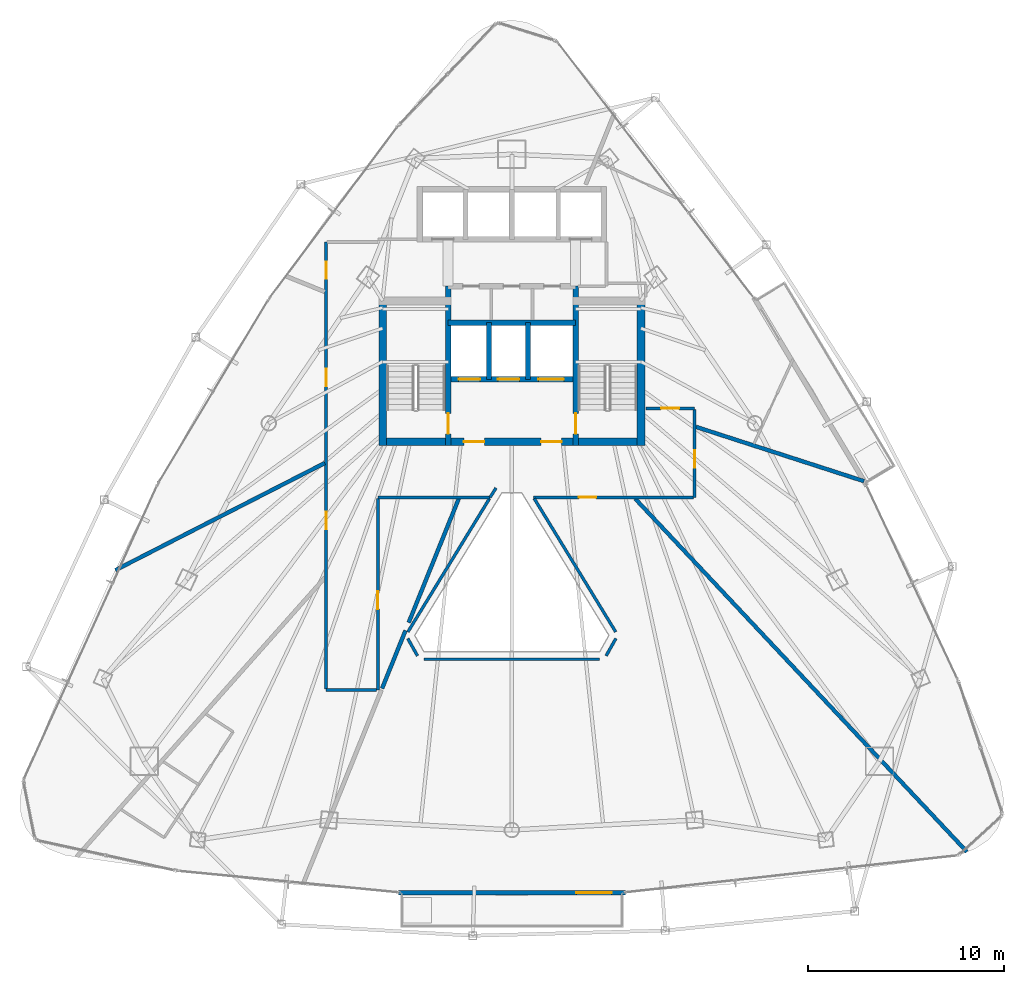
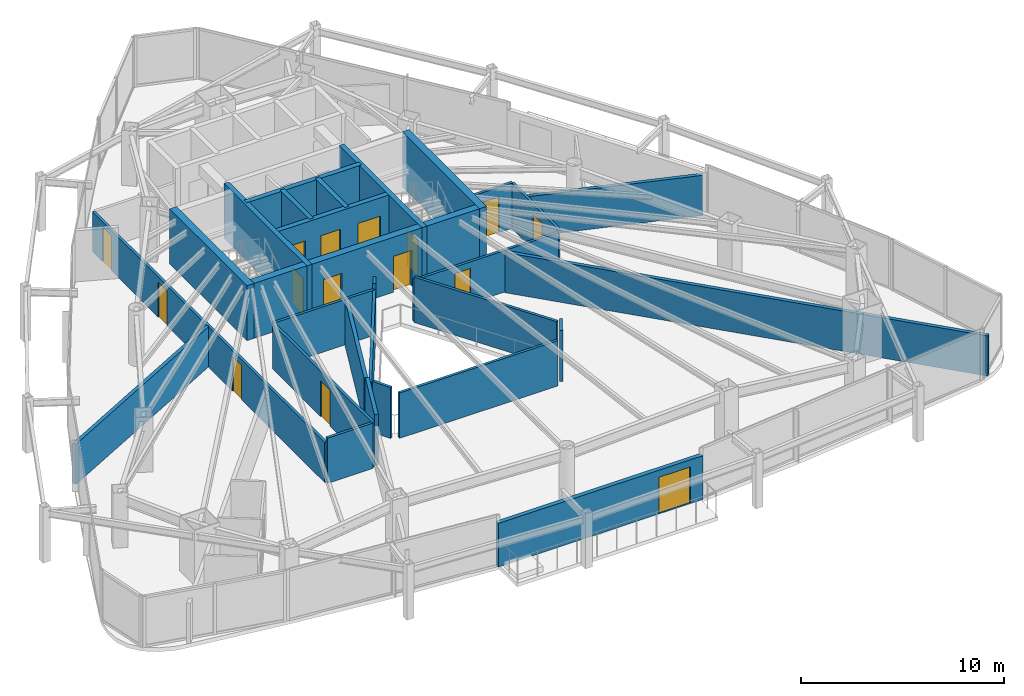
# One storey, part 27 of 31: 28 walls, 15 doors, 15 openings.
"""IFC4 building model written with IfcOpenShell, lengths in metres."""

import ifcopenshell
import ifcopenshell.guid

model = None  # the IFC model being written
_history = None  # IfcOwnerHistory: only IFC2X3 demands one
_inside = {}  # id of a spatial element -> (the spatial element, [elements in it])
_under = {}  # id of a project, library or spatial element -> (it, [spatial elements below it])
_declared = {}  # id of a project -> (the project, [libraries it declares])
_typed = {}  # id of a type object -> (the type object, [elements of that type])
_made_of = {}  # id of a material, layer set ... -> (it, [elements and type objects made of it])


def new_model(schema):
    """Start an empty IFC model of exactly this schema.

    Asked for "IFC4X3", IfcOpenShell would pick the latest addendum, in which some entities
    have other attributes; the version numbers below select the first issue.
    IFC2X3 requires an IfcOwnerHistory on every rooted entity: one is made here for all.
    """
    global model, _history
    if schema == "IFC4X3":
        model = ifcopenshell.file(schema_version=(4, 3, 0, 0))
    else:
        model = ifcopenshell.file(schema=schema)
    _inside.clear()
    _under.clear()
    _declared.clear()
    _typed.clear()
    _made_of.clear()
    _history = None
    if model.schema == "IFC2X3":
        org = make("IfcOrganization", Name="unknown")
        user = make(
            "IfcPersonAndOrganization",
            ThePerson=make("IfcPerson", FamilyName="unknown"),
            TheOrganization=org,
        )
        app = make(
            "IfcApplication",
            ApplicationDeveloper=org,
            Version="unknown",
            ApplicationFullName="unknown",
            ApplicationIdentifier="unknown",
        )
        _history = make(
            "IfcOwnerHistory",
            OwningUser=user,
            OwningApplication=app,
            ChangeAction="ADDED",
            CreationDate=0,
        )
    return model


def make(cls, **values):
    """One entity of the class cls with the attributes given. An attribute that is None is left unset."""
    return model.create_entity(
        cls, **{name: value for name, value in values.items() if value is not None}
    )


def rooted(cls, **values):
    """An entity with a GlobalId (a new one), such as an element, a storey or a relation."""
    return make(cls, GlobalId=ifcopenshell.guid.new(), OwnerHistory=_history, **values)


def si_unit(unit_type, name, prefix=None):
    """IfcSIUnit, for example si_unit("LENGTHUNIT", "METRE", prefix="MILLI")."""
    return make("IfcSIUnit", UnitType=unit_type, Prefix=prefix, Name=name)


def assignment(units):
    """IfcUnitAssignment: the units of a project."""
    return None if units is None else make("IfcUnitAssignment", Units=units)


def point(xyz):
    """IfcCartesianPoint."""
    return None if xyz is None else make("IfcCartesianPoint", Coordinates=xyz)


def direction(xyz):
    """IfcDirection."""
    return None if xyz is None else make("IfcDirection", DirectionRatios=xyz)


def frame(location, z_axis=None, x_axis=None):
    """IfcAxis2Placement3D, a coordinate frame: its origin and axes. An axis left out is left unset."""
    return make(
        "IfcAxis2Placement3D",
        Location=point(location),
        Axis=direction(z_axis),
        RefDirection=direction(x_axis),
    )


def frame_2d(location, x_axis=None):
    """IfcAxis2Placement2D, a coordinate frame in the plane: its origin and x axis."""
    return make(
        "IfcAxis2Placement2D", Location=point(location), RefDirection=direction(x_axis)
    )


def origin():
    """The frame at (0, 0, 0) with its axes left unset."""
    return frame((0.0, 0.0, 0.0))


def place(relative_to, where):
    """IfcLocalPlacement: puts the frame where relative to a parent placement (None: the world)."""
    return make(
        "IfcLocalPlacement", PlacementRelTo=relative_to, RelativePlacement=where
    )


def context(
    kind, dimensions, precision=None, world=None, true_north=None, identifier=None
):
    """IfcGeometricRepresentationContext, for example the 3D "Model" context."""
    return make(
        "IfcGeometricRepresentationContext",
        ContextIdentifier=identifier,
        ContextType=kind,
        CoordinateSpaceDimension=dimensions,
        Precision=precision,
        WorldCoordinateSystem=world,
        TrueNorth=true_north,
    )


def subcontext(parent, identifier, kind, view, scale=None):
    """IfcGeometricRepresentationSubContext, for example "Body" below "Model"."""
    return make(
        "IfcGeometricRepresentationSubContext",
        ContextIdentifier=identifier,
        ContextType=kind,
        ParentContext=parent,
        TargetScale=scale,
        TargetView=view,
    )


def project(units=None, contexts=None):
    """IfcProject with its units and contexts."""
    return rooted(
        "IfcProject",
        Name="project",
        RepresentationContexts=contexts,
        UnitsInContext=assignment(units),
    )


def spatial(cls, under=None, at=None, **own):
    """A site, building, storey or space (cls), placed at a placement, below another one or the project."""
    s = rooted(cls, ObjectPlacement=at, **own)
    if under is not None:
        _under.setdefault(under.id(), (under, []))[1].append(s)
    return s


def profile(cls, at=None, kind="AREA", **sizes):
    """A parametric profile (cls). Its sizes go by their IFC names, for example OverallWidth=200.0."""
    return make(cls, ProfileType=kind, Position=at, **sizes)


def rectangle(**sizes):
    """IfcRectangleProfileDef."""
    return profile("IfcRectangleProfileDef", **sizes)


def extrude(swept, where, along, depth):
    """IfcExtrudedAreaSolid: the profile swept, set in the frame where, extruded along a direction by depth."""
    return make(
        "IfcExtrudedAreaSolid",
        SweptArea=swept,
        Position=where,
        ExtrudedDirection=direction(along),
        Depth=depth,
    )


def shape(context_of_items, identifier, shape_type, items):
    """IfcShapeRepresentation: the items that make up one representation, for example the "Body"."""
    return make(
        "IfcShapeRepresentation",
        ContextOfItems=context_of_items,
        RepresentationIdentifier=identifier,
        RepresentationType=shape_type,
        Items=items,
    )


def material(Name=None, Category=None):
    """IfcMaterial."""
    return make("IfcMaterial", Name=Name, Category=Category)


def layer(
    of_material, thickness, ventilated=None, Name=None, Category=None, Priority=None
):
    """IfcMaterialLayer: one layer of a wall or slab, of a material (None: an air gap)."""
    return make(
        "IfcMaterialLayer",
        Material=of_material,
        LayerThickness=thickness,
        IsVentilated=ventilated,
        Name=Name,
        Category=Category,
        Priority=Priority,
    )


def layer_set(layers, Name=None):
    """IfcMaterialLayerSet."""
    return make("IfcMaterialLayerSet", MaterialLayers=layers, LayerSetName=Name)


def made_of(thing, what):
    """Note that an element or type object is made of a material, layer set ...; save() writes the relation."""
    if what is not None:
        _made_of.setdefault(what.id(), (what, []))[1].append(thing)
    return thing


def type_object(cls, material=None, **own):
    """A type object (cls), such as IfcWallType, which elements share."""
    return made_of(rooted(cls, **own), material)


def element(
    cls,
    number,
    at=None,
    inside=None,
    cuts=None,
    type_object=None,
    material=None,
    context=None,
    identifier="Body",
    shape_type=None,
    held_by="IfcProductDefinitionShape",
    body=None,
    shapes=None,
    **own,
):
    """One element of the class cls, such as IfcWall. Its Tag is "e" and its number.

    at: its placement. inside: the storey or other place that contains it. cuts: it is an
    opening in that element (IfcRelVoidsElement). A single representation is given by context,
    identifier, shape_type and body (its items); several are given by shapes. held_by: the class
    of the entity that holds the representations. save() writes the other relations.
    """
    e = rooted(cls, Tag="e%d" % number, ObjectPlacement=at, **own)
    if body is not None:
        shapes = [shape(context, identifier, shape_type, body)]
    if shapes is not None:
        e.Representation = make(held_by, Representations=shapes)
    if inside is not None:
        _inside.setdefault(inside.id(), (inside, []))[1].append(e)
    if cuts is not None:
        rooted(
            "IfcRelVoidsElement", RelatingBuildingElement=cuts, RelatedOpeningElement=e
        )
    if type_object is not None:
        _typed.setdefault(type_object.id(), (type_object, []))[1].append(e)
    return made_of(e, material)


def fill(opening, filler):
    """IfcRelFillsElement: the door or window that sits in an opening."""
    return rooted(
        "IfcRelFillsElement",
        RelatingOpeningElement=opening,
        RelatedBuildingElement=filler,
    )


def aggregate(whole, parts):
    """IfcRelAggregates: a whole, such as a stair, and the parts it consists of."""
    return rooted("IfcRelAggregates", RelatingObject=whole, RelatedObjects=parts)


def save(model, path):
    """Write the relations noted so far, then the file.

    IfcRelAggregates (storeys below a building ...), IfcRelContainedInSpatialStructure (elements
    in a storey), IfcRelDefinesByType, IfcRelAssociatesMaterial and IfcRelDeclares: one each for
    every whole, place, type object, material and project.
    """
    for whole, parts in _under.values():
        aggregate(whole, parts)
    for where, things in _inside.values():
        rooted(
            "IfcRelContainedInSpatialStructure",
            RelatedElements=things,
            RelatingStructure=where,
        )
    for kind, things in _typed.values():
        rooted("IfcRelDefinesByType", RelatedObjects=things, RelatingType=kind)
    for what, things in _made_of.values():
        rooted("IfcRelAssociatesMaterial", RelatedObjects=things, RelatingMaterial=what)
    for by, libraries in _declared.values():
        rooted("IfcRelDeclares", RelatingContext=by, RelatedDefinitions=libraries)
    model.write(path)


model = new_model("IFC4")

# Units and contexts
model_context = context("Model", 3, precision=1e-05, world=origin(), true_north=direction((0.0, 1.0)))
body_context = subcontext(model_context, "Body", "Model", "MODEL_VIEW")
ifc_project = project(units=[si_unit("LENGTHUNIT", "METRE"), si_unit("AREAUNIT", "SQUARE_METRE"), si_unit("VOLUMEUNIT", "CUBIC_METRE"), si_unit("PLANEANGLEUNIT", "RADIAN"), si_unit("MASSUNIT", "GRAM", prefix="KILO")], contexts=[model_context])

# Site, building, storey
site_placement = place(None, origin())
site = spatial("IfcSite", under=ifc_project, at=site_placement, CompositionType="ELEMENT")
building_placement = place(site_placement, origin())
building = spatial("IfcBuilding", under=site, at=building_placement, Name="Orvanel Arch Residences", CompositionType="ELEMENT")
storey_placement = place(building_placement, frame((0.0, 0.0, 153.949951171875)))
storey = spatial("IfcBuildingStorey", under=building, at=storey_placement, Name="L43", CompositionType="ELEMENT", Elevation=153.949951171875)

# Wall, opening, door
ifc_material_1 = material(Name="Precast concrete N50 (50 MPa)", Category="concrete")
ifc_layer_1 = layer(ifc_material_1, 0.239990234375)
ifc_layer_set_1 = layer_set([ifc_layer_1], Name="Precast concrete N50 (50 MPa)")
wall_type_1 = type_object("IfcWallType", Name="EW-BAL-240", PredefinedType="SOLIDWALL", material=ifc_layer_set_1)
wall_1_placement = place(storey_placement, frame((27.197998046875, 3.64111328125, 0.0), z_axis=(0.0, 0.0, 1.0), x_axis=(1.0, 0.0, 0.0)))
wall_1 = element("IfcWall", 1, at=wall_1_placement, inside=storey, type_object=wall_type_1, Name="L43 Balcony Threshold Wall Face 2", PredefinedType="SOLIDWALL", context=body_context, shape_type="SweptSolid", body=[
    extrude(rectangle(XDim=11.60400390625, YDim=0.239990234375, at=frame_2d((5.802001953125, 0.0))), origin(), (0.0, 0.0, 1.0), 2.6240234375),
])
opening_1_placement = place(wall_1_placement, frame((9.10693359375, 0.0, 0.0)))
opening_1 = element("IfcOpeningElement", 2, at=opening_1_placement, cuts=wall_1, Name="Opening DB-180", PredefinedType="OPENING", context=body_context, shape_type="SweptSolid", body=[
    extrude(rectangle(XDim=1.800048828125, YDim=2.199951171875, at=frame_2d((0.89990234375, 1.10009765625))), frame((0.0, 0.1298828125, 0.0), z_axis=(0.0, -1.0, 0.0), x_axis=(1.0, 0.0, 0.0)), (0.0, 0.0, 1.0), 0.260009765625),
])
ifc_material_2 = material(Name="Bronze-anodised aluminium AA6063-T6", Category="aluminium")
door_type_1 = type_object("IfcDoorType", Name="DR-BAL-1800", OperationType="NOTDEFINED", PredefinedType="DOOR", material=ifc_material_2)
door_1_placement = place(opening_1_placement, origin())
door_1 = element("IfcDoor", 3, at=door_1_placement, inside=storey, type_object=door_type_1, Name="DR-L43-BAL-F2 L43 Planted Balcony Access Door Face 2", OperationType="SINGLE_SWING_LEFT", OverallHeight=2.199951171875, OverallWidth=1.800048828125, PredefinedType="DOOR", context=body_context, shape_type="SweptSolid", body=[
    extrude(rectangle(XDim=1.800048828125, YDim=2.199951171875, at=frame_2d((0.89990234375, 1.10009765625))), frame((0.0, 0.02490234375, 0.0), z_axis=(0.0, -1.0, 0.0), x_axis=(1.0, 0.0, 0.0)), (0.0, 0.0, 1.0), 0.050048828125),
])
fill(opening_1, door_1)

# Walls
ifc_material_3 = material(Name="Concrete N50 (50 MPa)", Category="concrete")
ifc_layer_2 = layer(ifc_material_3, 0.25)
ifc_layer_set_2 = layer_set([ifc_layer_2], Name="Concrete N50 (50 MPa)")
wall_type_2 = type_object("IfcWallType", Name="SW-CORE-250", PredefinedType="SHEAR", material=ifc_layer_set_2)
for number, where, z_axis, x_axis, name in (
    (4, (31.824951171875, 29.889892578125, 0.0), (0.0, 0.0, 1.0), (0.0, 1.0, 0.0), "L43 Emergency Lift Inter-Shaft Wall F12"),
    (5, (33.824951171875, 29.889892578125, 0.0), (0.0, 0.0, 1.0), (0.0, 1.0, 0.0), "L43 Emergency Lift Inter-Shaft Wall F2G"),
):
    element("IfcWall", number, at=place(storey_placement, frame(where, z_axis=z_axis, x_axis=x_axis)), inside=storey, type_object=wall_type_2, Name=name, PredefinedType="SHEAR", context=body_context, shape_type="SweptSolid", body=[
        extrude(rectangle(XDim=2.900146484375, YDim=0.25, at=frame_2d((1.4501953125, 0.0))), origin(), (0.0, 0.0, 1.0), 3.300048828125),
    ])

# Wall, opening, door
ifc_material_4 = material(Name="Concrete S65 (65 MPa)", Category="concrete")
ifc_layer_3 = layer(ifc_material_4, 0.280029296875)
ifc_layer_set_3 = layer_set([ifc_layer_3], Name="Concrete S65 (65 MPa)")
wall_type_3 = type_object("IfcWallType", Name="SW-CORE-280", PredefinedType="SHEAR", material=ifc_layer_set_3)
wall_2_placement = place(storey_placement, frame((29.739990234375, 26.5, 0.0), z_axis=(0.0, 0.0, 1.0), x_axis=(0.0, 1.0, 0.0)))
wall_2 = element("IfcWall", 6, at=wall_2_placement, inside=storey, type_object=wall_type_3, Name="L43 West Inner Core Spine Shear Wall", PredefinedType="SHEAR", context=body_context, shape_type="SweptSolid", body=[
    extrude(rectangle(XDim=8.14990234375, YDim=0.280029296875, at=frame_2d((4.074951171875, 0.0))), origin(), (0.0, 0.0, 1.0), 3.300048828125),
])
opening_2_placement = place(wall_2_placement, frame((0.60009765625, 0.0, 0.0)))
opening_2 = element("IfcOpeningElement", 7, at=opening_2_placement, cuts=wall_2, Name="Opening DF-120", PredefinedType="OPENING", context=body_context, shape_type="SweptSolid", body=[
    extrude(rectangle(XDim=1.050048828125, YDim=2.14990234375, at=frame_2d((0.52490234375, 1.074951171875))), frame((0.0, 0.14990234375, 0.0), z_axis=(0.0, -1.0, 0.0), x_axis=(1.0, 0.0, 0.0)), (0.0, 0.0, 1.0), 0.300048828125),
])
ifc_material_5 = material(Name="Galvanised steel fire-resisting door assembly", Category="steel")
door_type_2 = type_object("IfcDoorType", Name="DR-FD120-1050", OperationType="NOTDEFINED", PredefinedType="DOOR", material=ifc_material_5)
door_2_placement = place(opening_2_placement, origin())
door_2 = element("IfcDoor", 8, at=door_2_placement, inside=storey, type_object=door_type_2, Name="DR-L43-ST1 L43 Stair 1 Fire Door", OperationType="SINGLE_SWING_LEFT", OverallHeight=2.14990234375, OverallWidth=1.050048828125, PredefinedType="DOOR", context=body_context, shape_type="SweptSolid", body=[
    extrude(rectangle(XDim=1.050048828125, YDim=2.14990234375, at=frame_2d((0.52490234375, 1.074951171875))), frame((0.0, 0.02490234375, 0.0), z_axis=(0.0, -1.0, 0.0), x_axis=(1.0, 0.0, 0.0)), (0.0, 0.0, 1.0), 0.050048828125),
])
fill(opening_2, door_2)

wall_3_placement = place(storey_placement, frame((36.260009765625, 26.5, 0.0), z_axis=(0.0, 0.0, 1.0), x_axis=(0.0, 1.0, 0.0)))
wall_3 = element("IfcWall", 9, at=wall_3_placement, inside=storey, type_object=wall_type_3, Name="L43 East Inner Core Spine Shear Wall", PredefinedType="SHEAR", context=body_context, shape_type="SweptSolid", body=[
    extrude(rectangle(XDim=8.14990234375, YDim=0.280029296875, at=frame_2d((4.074951171875, 0.0))), origin(), (0.0, 0.0, 1.0), 3.300048828125),
])
opening_3_placement = place(wall_3_placement, frame((0.60009765625, 0.0, 0.0)))
opening_3 = element("IfcOpeningElement", 10, at=opening_3_placement, cuts=wall_3, Name="Opening DF-120", PredefinedType="OPENING", context=body_context, shape_type="SweptSolid", body=[
    extrude(rectangle(XDim=1.050048828125, YDim=2.14990234375, at=frame_2d((0.52490234375, 1.074951171875))), frame((0.0, 0.14990234375, 0.0), z_axis=(0.0, -1.0, 0.0), x_axis=(1.0, 0.0, 0.0)), (0.0, 0.0, 1.0), 0.300048828125),
])
door_3_placement = place(opening_3_placement, origin())
door_3 = element("IfcDoor", 11, at=door_3_placement, inside=storey, type_object=door_type_2, Name="DR-L43-ST2 L43 Stair 2 Fire Door", OperationType="SINGLE_SWING_RIGHT", OverallHeight=2.14990234375, OverallWidth=1.050048828125, PredefinedType="DOOR", context=body_context, shape_type="SweptSolid", body=[
    extrude(rectangle(XDim=1.050048828125, YDim=2.14990234375, at=frame_2d((0.52490234375, 1.074951171875))), frame((0.0, 0.02490234375, 0.0), z_axis=(0.0, -1.0, 0.0), x_axis=(1.0, 0.0, 0.0)), (0.0, 0.0, 1.0), 0.050048828125),
])
fill(opening_3, door_3)

# Wall, openings, doors
wall_4_placement = place(storey_placement, frame((36.260009765625, 29.889892578125, 0.0), z_axis=(0.0, 0.0, 1.0), x_axis=(-1.0, 0.0, 0.0)))
wall_4 = element("IfcWall", 12, at=wall_4_placement, inside=storey, type_object=wall_type_3, Name="L43 Emergency Lift Front Core Shear Wall", PredefinedType="SHEAR", context=body_context, shape_type="SweptSolid", body=[
    extrude(rectangle(XDim=6.52001953125, YDim=0.280029296875, at=frame_2d((3.260009765625, 0.0))), origin(), (0.0, 0.0, 1.0), 3.300048828125),
])
opening_4_placement = place(wall_4_placement, frame((4.875, 0.0, 0.0)))
opening_4 = element("IfcOpeningElement", 13, at=opening_4_placement, cuts=wall_4, Name="Opening LD-110", PredefinedType="OPENING", context=body_context, shape_type="SweptSolid", body=[
    extrude(rectangle(XDim=1.10009765625, YDim=2.199951171875, at=frame_2d((0.550048828125, 1.10009765625))), frame((0.0, 0.14990234375, 0.0), z_axis=(0.0, -1.0, 0.0), x_axis=(1.0, 0.0, 0.0)), (0.0, 0.0, 1.0), 0.300048828125),
])
opening_5_placement = place(wall_4_placement, frame((2.875, 0.0, 0.0)))
opening_5 = element("IfcOpeningElement", 14, at=opening_5_placement, cuts=wall_4, Name="Opening LD-110", PredefinedType="OPENING", context=body_context, shape_type="SweptSolid", body=[
    extrude(rectangle(XDim=1.10009765625, YDim=2.199951171875, at=frame_2d((0.550048828125, 1.10009765625))), frame((0.0, 0.14990234375, 0.0), z_axis=(0.0, -1.0, 0.0), x_axis=(1.0, 0.0, 0.0)), (0.0, 0.0, 1.0), 0.300048828125),
])
opening_6_placement = place(wall_4_placement, frame((0.60009765625, 0.0, 0.0)))
opening_6 = element("IfcOpeningElement", 15, at=opening_6_placement, cuts=wall_4, Name="Opening LD-130", PredefinedType="OPENING", context=body_context, shape_type="SweptSolid", body=[
    extrude(rectangle(XDim=1.300048828125, YDim=2.199951171875, at=frame_2d((0.64990234375, 1.10009765625))), frame((0.0, 0.14990234375, 0.0), z_axis=(0.0, -1.0, 0.0), x_axis=(1.0, 0.0, 0.0)), (0.0, 0.0, 1.0), 0.300048828125),
])
door_type_3 = type_object("IfcDoorType", Name="DR-LFT-1100", OperationType="NOTDEFINED", PredefinedType="DOOR", material=ifc_material_5)
door_4_placement = place(opening_4_placement, origin())
door_4 = element("IfcDoor", 16, at=door_4_placement, inside=storey, type_object=door_type_3, Name="LD-F1-L43 L43 Lift F1 Sliding Landing Door", OperationType="DOUBLE_DOOR_SLIDING", OverallHeight=2.199951171875, OverallWidth=1.10009765625, PredefinedType="DOOR", context=body_context, shape_type="SweptSolid", body=[
    extrude(rectangle(XDim=1.10009765625, YDim=2.199951171875, at=frame_2d((0.550048828125, 1.10009765625))), frame((0.0, 0.02490234375, 0.0), z_axis=(0.0, -1.0, 0.0), x_axis=(1.0, 0.0, 0.0)), (0.0, 0.0, 1.0), 0.050048828125),
])
fill(opening_4, door_4)
door_5_placement = place(opening_5_placement, origin())
door_5 = element("IfcDoor", 17, at=door_5_placement, inside=storey, type_object=door_type_3, Name="LD-F2-L43 L43 Lift F2 Sliding Landing Door", OperationType="DOUBLE_DOOR_SLIDING", OverallHeight=2.199951171875, OverallWidth=1.10009765625, PredefinedType="DOOR", context=body_context, shape_type="SweptSolid", body=[
    extrude(rectangle(XDim=1.10009765625, YDim=2.199951171875, at=frame_2d((0.550048828125, 1.10009765625))), frame((0.0, 0.02490234375, 0.0), z_axis=(0.0, -1.0, 0.0), x_axis=(1.0, 0.0, 0.0)), (0.0, 0.0, 1.0), 0.050048828125),
])
fill(opening_5, door_5)
door_type_4 = type_object("IfcDoorType", Name="DR-LFT-1300", OperationType="NOTDEFINED", PredefinedType="DOOR", material=ifc_material_5)
door_6_placement = place(opening_6_placement, origin())
door_6 = element("IfcDoor", 18, at=door_6_placement, inside=storey, type_object=door_type_4, Name="LD-G1-L43 L43 Lift G1 Sliding Landing Door", OperationType="DOUBLE_DOOR_SLIDING", OverallHeight=2.199951171875, OverallWidth=1.300048828125, PredefinedType="DOOR", context=body_context, shape_type="SweptSolid", body=[
    extrude(rectangle(XDim=1.300048828125, YDim=2.199951171875, at=frame_2d((0.64990234375, 1.10009765625))), frame((0.0, 0.02490234375, 0.0), z_axis=(0.0, -1.0, 0.0), x_axis=(1.0, 0.0, 0.0)), (0.0, 0.0, 1.0), 0.050048828125),
])
fill(opening_6, door_6)

# Wall
wall_5_placement = place(storey_placement, frame((29.739990234375, 32.7900390625, 0.0), z_axis=(0.0, 0.0, 1.0), x_axis=(1.0, 0.0, 0.0)))
element("IfcWall", 19, at=wall_5_placement, inside=storey, type_object=wall_type_3, Name="L43 Emergency Lift Back Core Shear Wall", PredefinedType="SHEAR", context=body_context, shape_type="SweptSolid", body=[
    extrude(rectangle(XDim=6.52001953125, YDim=0.280029296875, at=frame_2d((3.260009765625, 0.0))), origin(), (0.0, 0.0, 1.0), 3.300048828125),
])

# Wall, openings, doors
ifc_layer_4 = layer(ifc_material_4, 0.39990234375)
ifc_layer_set_4 = layer_set([ifc_layer_4], Name="Concrete S65 (65 MPa)")
wall_type_4 = type_object("IfcWallType", Name="SW-CORE-400", PredefinedType="SHEAR", material=ifc_layer_set_4)
wall_6_placement = place(storey_placement, frame((26.199951171875, 26.699951171875, 0.0), z_axis=(0.0, 0.0, 1.0), x_axis=(1.0, 0.0, 0.0)))
wall_6 = element("IfcWall", 20, at=wall_6_placement, inside=storey, type_object=wall_type_4, Name="L43 South Core Shear Wall", PredefinedType="SHEAR", context=body_context, shape_type="SweptSolid", body=[
    extrude(rectangle(XDim=13.60009765625, YDim=0.39990234375, at=frame_2d((6.800048828125, 0.0))), origin(), (0.0, 0.0, 1.0), 3.300048828125),
])
opening_7_placement = place(wall_6_placement, frame((4.35009765625, 0.0, 0.0)))
opening_7 = element("IfcOpeningElement", 21, at=opening_7_placement, cuts=wall_6, Name="Opening DF-060", PredefinedType="OPENING", context=body_context, shape_type="SweptSolid", body=[
    extrude(rectangle(XDim=1.050048828125, YDim=2.14990234375, at=frame_2d((0.52490234375, 1.074951171875))), frame((0.0, 0.2099609375, 0.0), z_axis=(0.0, -1.0, 0.0), x_axis=(1.0, 0.0, 0.0)), (0.0, 0.0, 1.0), 0.419921875),
])
opening_8_placement = place(wall_6_placement, frame((8.300048828125, 0.0, 0.0)))
opening_8 = element("IfcOpeningElement", 22, at=opening_8_placement, cuts=wall_6, Name="Opening DF-060", PredefinedType="OPENING", context=body_context, shape_type="SweptSolid", body=[
    extrude(rectangle(XDim=1.050048828125, YDim=2.14990234375, at=frame_2d((0.52490234375, 1.074951171875))), frame((0.0, 0.2099609375, 0.0), z_axis=(0.0, -1.0, 0.0), x_axis=(1.0, 0.0, 0.0)), (0.0, 0.0, 1.0), 0.419921875),
])
door_type_5 = type_object("IfcDoorType", Name="DR-FD60-1050", OperationType="NOTDEFINED", PredefinedType="DOOR", material=ifc_material_5)
door_7_placement = place(opening_7_placement, origin())
door_7 = element("IfcDoor", 23, at=door_7_placement, inside=storey, type_object=door_type_5, Name="DR-L43-FFL-W L43 West Smoke Lobby Door", OperationType="SINGLE_SWING_LEFT", OverallHeight=2.14990234375, OverallWidth=1.050048828125, PredefinedType="DOOR", context=body_context, shape_type="SweptSolid", body=[
    extrude(rectangle(XDim=1.050048828125, YDim=2.14990234375, at=frame_2d((0.52490234375, 1.074951171875))), frame((0.0, 0.02490234375, 0.0), z_axis=(0.0, -1.0, 0.0), x_axis=(1.0, 0.0, 0.0)), (0.0, 0.0, 1.0), 0.050048828125),
])
fill(opening_7, door_7)
door_8_placement = place(opening_8_placement, origin())
door_8 = element("IfcDoor", 24, at=door_8_placement, inside=storey, type_object=door_type_5, Name="DR-L43-FFL-E L43 East Smoke Lobby Door", OperationType="SINGLE_SWING_RIGHT", OverallHeight=2.14990234375, OverallWidth=1.050048828125, PredefinedType="DOOR", context=body_context, shape_type="SweptSolid", body=[
    extrude(rectangle(XDim=1.050048828125, YDim=2.14990234375, at=frame_2d((0.52490234375, 1.074951171875))), frame((0.0, 0.02490234375, 0.0), z_axis=(0.0, -1.0, 0.0), x_axis=(1.0, 0.0, 0.0)), (0.0, 0.0, 1.0), 0.050048828125),
])
fill(opening_8, door_8)

# Walls
for number, where, z_axis, x_axis, name in (
    (25, (26.39990234375, 26.5, 0.0), (0.0, 0.0, 1.0), (0.0, 1.0, 0.0), "L43 West Stair Shear Wall"),
    (26, (39.60009765625, 26.5, 0.0), (0.0, 0.0, 1.0), (0.0, 1.0, 0.0), "L43 East Stair Shear Wall"),
):
    element("IfcWall", number, at=place(storey_placement, frame(where, z_axis=z_axis, x_axis=x_axis)), inside=storey, type_object=wall_type_4, Name=name, PredefinedType="SHEAR", context=body_context, shape_type="SweptSolid", body=[
        extrude(rectangle(XDim=7.60009765625, YDim=0.39990234375, at=frame_2d((3.800048828125, 0.0))), origin(), (0.0, 0.0, 1.0), 3.300048828125),
    ])
ifc_material_6 = material(Name="Fire-rated plasterboard lined steel stud partition", Category="steel")
ifc_layer_5 = layer(ifc_material_6, 0.14990234375)
ifc_layer_set_5 = layer_set([ifc_layer_5], Name="Fire-rated plasterboard lined steel stud partition")
wall_type_5 = type_object("IfcWallType", Name="W-COR-150", PredefinedType="PARTITIONING", material=ifc_layer_set_5)
wall_7_placement = place(storey_placement, frame((32.19189453125, 24.3359375, 0.0), z_axis=(0.0, 0.0, 1.0), x_axis=(-0.529155471054, -0.848524889119, 0.0)))
element("IfcWall", 27, at=wall_7_placement, inside=storey, type_object=wall_type_5, Name="L43 Corridor Fire-Rated Partition", PredefinedType="PARTITIONING", context=body_context, shape_type="SweptSolid", body=[
    extrude(rectangle(XDim=0.572509765625, YDim=0.14990234375, at=frame_2d((0.2861328125, 0.0))), origin(), (0.0, 0.0, 1.0), 3.06005859375),
])
wall_8_placement = place(storey_placement, frame((31.888916015625, 23.85009765625, 0.0), z_axis=(0.0, 0.0, 1.0), x_axis=(-1.0, 0.0, 0.0)))
element("IfcWall", 28, at=wall_8_placement, inside=storey, type_object=wall_type_5, Name="L43 Corridor Fire-Rated Partition", PredefinedType="PARTITIONING", context=body_context, shape_type="SweptSolid", body=[
    extrude(rectangle(XDim=5.739013671875, YDim=0.14990234375, at=frame_2d((2.86962890625, 0.0))), origin(), (0.0, 0.0, 1.0), 2.720947265625),
])

# Wall, opening, door
wall_9_placement = place(storey_placement, frame((26.14990234375, 23.7900390625, 0.0), z_axis=(0.0, 0.0, 1.0), x_axis=(0.0, -1.0, 0.0)))
wall_9 = element("IfcWall", 29, at=wall_9_placement, inside=storey, type_object=wall_type_5, Name="L43 Corridor Fire-Rated Partition", PredefinedType="PARTITIONING", context=body_context, shape_type="SweptSolid", body=[
    extrude(rectangle(XDim=9.7900390625, YDim=0.14990234375, at=frame_2d((4.89501953125, 0.0))), origin(), (0.0, 0.0, 1.0), 2.720947265625),
])
opening_9_placement = place(wall_9_placement, frame((4.72705078125, 0.0, 0.0)))
opening_9 = element("IfcOpeningElement", 30, at=opening_9_placement, cuts=wall_9, Name="Opening DA-092", PredefinedType="OPENING", context=body_context, shape_type="SweptSolid", body=[
    extrude(rectangle(XDim=0.919921875, YDim=2.14990234375, at=frame_2d((0.4599609375, 1.074951171875))), frame((0.0, 0.0849609375, 0.0), z_axis=(0.0, -1.0, 0.0), x_axis=(1.0, 0.0, 0.0)), (0.0, 0.0, 1.0), 0.169921875),
])
ifc_material_7 = material(Name="Solid-core European oak veneer fire door leaf", Category="wood")
door_type_6 = type_object("IfcDoorType", Name="DR-APT-920", OperationType="NOTDEFINED", PredefinedType="DOOR", material=ifc_material_7)
door_9_placement = place(opening_9_placement, origin())
door_9 = element("IfcDoor", 31, at=door_9_placement, inside=storey, type_object=door_type_6, Name="DR-L43-A-ENT L43 Studio A Entrance Door", OperationType="SINGLE_SWING_RIGHT", OverallHeight=2.14990234375, OverallWidth=0.919921875, PredefinedType="DOOR", context=body_context, shape_type="SweptSolid", body=[
    extrude(rectangle(XDim=0.919921875, YDim=2.14990234375, at=frame_2d((0.4599609375, 1.074951171875))), frame((0.0, 0.02490234375, 0.0), z_axis=(0.0, -1.0, 0.0), x_axis=(1.0, 0.0, 0.0)), (0.0, 0.0, 1.0), 0.050048828125),
])
fill(opening_9, door_9)

# Wall
wall_10_placement = place(storey_placement, frame((26.090087890625, 14.0, 0.0), z_axis=(0.0, 0.0, 1.0), x_axis=(-1.0, 0.0, 0.0)))
element("IfcWall", 32, at=wall_10_placement, inside=storey, type_object=wall_type_5, Name="L43 Corridor Fire-Rated Partition", PredefinedType="PARTITIONING", context=body_context, shape_type="SweptSolid", body=[
    extrude(rectangle(XDim=2.590087890625, YDim=0.14990234375, at=frame_2d((1.294921875, 0.0))), origin(), (0.0, 0.0, 1.0), 2.720947265625),
])

# Wall, openings, doors
wall_11_placement = place(storey_placement, frame((23.5, 14.06005859375, 0.0), z_axis=(0.0, 0.0, 1.0), x_axis=(0.0, 1.0, 0.0)))
wall_11 = element("IfcWall", 33, at=wall_11_placement, inside=storey, type_object=wall_type_5, Name="L43 Corridor Fire-Rated Partition", PredefinedType="PARTITIONING", context=body_context, shape_type="SweptSolid", body=[
    extrude(rectangle(XDim=22.83984375, YDim=0.14990234375, at=frame_2d((11.419921875, 0.0))), origin(), (0.0, 0.0, 1.0), 2.4130859375),
])
opening_10_placement = place(wall_11_placement, frame((8.172119140625, 0.0, 0.0)))
opening_10 = element("IfcOpeningElement", 34, at=opening_10_placement, cuts=wall_11, Name="Opening DI-088", PredefinedType="OPENING", context=body_context, shape_type="SweptSolid", body=[
    extrude(rectangle(XDim=0.8798828125, YDim=2.10009765625, at=frame_2d((0.43994140625, 1.050048828125))), frame((0.0, 0.0849609375, 0.0), z_axis=(0.0, -1.0, 0.0), x_axis=(1.0, 0.0, 0.0)), (0.0, 0.0, 1.0), 0.169921875),
])
opening_11_placement = place(wall_11_placement, frame((20.968994140625, 0.0, 0.0)))
opening_11 = element("IfcOpeningElement", 35, at=opening_11_placement, cuts=wall_11, Name="Opening DI-088", PredefinedType="OPENING", context=body_context, shape_type="SweptSolid", body=[
    extrude(rectangle(XDim=0.8798828125, YDim=2.10009765625, at=frame_2d((0.43994140625, 1.050048828125))), frame((0.0, 0.0849609375, 0.0), z_axis=(0.0, -1.0, 0.0), x_axis=(1.0, 0.0, 0.0)), (0.0, 0.0, 1.0), 0.169921875),
])
opening_12_placement = place(wall_11_placement, frame((15.48388671875, 0.0, 0.0)))
opening_12 = element("IfcOpeningElement", 36, at=opening_12_placement, cuts=wall_11, Name="Opening DI-088", PredefinedType="OPENING", context=body_context, shape_type="SweptSolid", body=[
    extrude(rectangle(XDim=0.8798828125, YDim=2.10009765625, at=frame_2d((0.43994140625, 1.050048828125))), frame((0.0, 0.0849609375, 0.0), z_axis=(0.0, -1.0, 0.0), x_axis=(1.0, 0.0, 0.0)), (0.0, 0.0, 1.0), 0.169921875),
])
door_type_7 = type_object("IfcDoorType", Name="DR-INT-880", OperationType="NOTDEFINED", PredefinedType="DOOR", material=ifc_material_7)
door_10_placement = place(opening_10_placement, origin())
door_10 = element("IfcDoor", 37, at=door_10_placement, inside=storey, type_object=door_type_7, Name="DR-L43-CAR42-1 L43 Allied Health Therapy Room 1 Door", OperationType="SINGLE_SWING_LEFT", OverallHeight=2.10009765625, OverallWidth=0.8798828125, PredefinedType="DOOR", context=body_context, shape_type="SweptSolid", body=[
    extrude(rectangle(XDim=0.8798828125, YDim=2.10009765625, at=frame_2d((0.43994140625, 1.050048828125))), frame((0.0, 0.02490234375, 0.0), z_axis=(0.0, -1.0, 0.0), x_axis=(1.0, 0.0, 0.0)), (0.0, 0.0, 1.0), 0.050048828125),
])
fill(opening_10, door_10)
door_11_placement = place(opening_11_placement, origin())
door_11 = element("IfcDoor", 38, at=door_11_placement, inside=storey, type_object=door_type_7, Name="DR-L43-SHRD-FB3 L43 Co-Working Study Office C Door", OperationType="SINGLE_SWING_LEFT", OverallHeight=2.10009765625, OverallWidth=0.8798828125, PredefinedType="DOOR", context=body_context, shape_type="SweptSolid", body=[
    extrude(rectangle(XDim=0.8798828125, YDim=2.10009765625, at=frame_2d((0.43994140625, 1.050048828125))), frame((0.0, 0.02490234375, 0.0), z_axis=(0.0, -1.0, 0.0), x_axis=(1.0, 0.0, 0.0)), (0.0, 0.0, 1.0), 0.050048828125),
])
fill(opening_11, door_11)
door_12_placement = place(opening_12_placement, origin())
door_12 = element("IfcDoor", 39, at=door_12_placement, inside=storey, type_object=door_type_7, Name="DR-L43-SHRD-FB4 L43 Co-Working Study Office D Door", OperationType="SINGLE_SWING_LEFT", OverallHeight=2.10009765625, OverallWidth=0.8798828125, PredefinedType="DOOR", context=body_context, shape_type="SweptSolid", body=[
    extrude(rectangle(XDim=0.8798828125, YDim=2.10009765625, at=frame_2d((0.43994140625, 1.050048828125))), frame((0.0, 0.02490234375, 0.0), z_axis=(0.0, -1.0, 0.0), x_axis=(1.0, 0.0, 0.0)), (0.0, 0.0, 1.0), 0.050048828125),
])
fill(opening_12, door_12)

# Wall, opening, door
wall_12_placement = place(storey_placement, frame((39.85009765625, 28.39990234375, 0.0), z_axis=(0.0, 0.0, 1.0), x_axis=(1.0, 0.0, 0.0)))
wall_12 = element("IfcWall", 40, at=wall_12_placement, inside=storey, type_object=wall_type_5, Name="L43 Corridor Fire-Rated Partition", PredefinedType="PARTITIONING", context=body_context, shape_type="SweptSolid", body=[
    extrude(rectangle(XDim=2.5, YDim=0.14990234375, at=frame_2d((1.25, 0.0))), origin(), (0.0, 0.0, 1.0), 2.720947265625),
])
opening_13_placement = place(wall_12_placement, frame((0.7900390625, 0.0, 0.0)))
opening_13 = element("IfcOpeningElement", 41, at=opening_13_placement, cuts=wall_12, Name="Opening DA-092", PredefinedType="OPENING", context=body_context, shape_type="SweptSolid", body=[
    extrude(rectangle(XDim=0.919921875, YDim=2.14990234375, at=frame_2d((0.4599609375, 1.074951171875))), frame((0.0, 0.0849609375, 0.0), z_axis=(0.0, -1.0, 0.0), x_axis=(1.0, 0.0, 0.0)), (0.0, 0.0, 1.0), 0.169921875),
])
door_13_placement = place(opening_13_placement, origin())
door_13 = element("IfcDoor", 42, at=door_13_placement, inside=storey, type_object=door_type_6, Name="DR-L43-B-ENT L43 Studio B Entrance Door", OperationType="SINGLE_SWING_LEFT", OverallHeight=2.14990234375, OverallWidth=0.919921875, PredefinedType="DOOR", context=body_context, shape_type="SweptSolid", body=[
    extrude(rectangle(XDim=0.919921875, YDim=2.14990234375, at=frame_2d((0.4599609375, 1.074951171875))), frame((0.0, 0.02490234375, 0.0), z_axis=(0.0, -1.0, 0.0), x_axis=(1.0, 0.0, 0.0)), (0.0, 0.0, 1.0), 0.050048828125),
])
fill(opening_13, door_13)

wall_13_placement = place(storey_placement, frame((42.35009765625, 28.340087890625, 0.0), z_axis=(0.0, 0.0, 1.0), x_axis=(0.0, -1.0, 0.0)))
wall_13 = element("IfcWall", 43, at=wall_13_placement, inside=storey, type_object=wall_type_5, Name="L43 Corridor Fire-Rated Partition", PredefinedType="PARTITIONING", context=body_context, shape_type="SweptSolid", body=[
    extrude(rectangle(XDim=4.489990234375, YDim=0.14990234375, at=frame_2d((2.2451171875, 0.0))), origin(), (0.0, 0.0, 1.0), 2.720947265625),
])
opening_14_placement = place(wall_13_placement, frame((2.0859375, 0.0, 0.0)))
opening_14 = element("IfcOpeningElement", 44, at=opening_14_placement, cuts=wall_13, Name="Opening DI-088", PredefinedType="OPENING", context=body_context, shape_type="SweptSolid", body=[
    extrude(rectangle(XDim=0.8798828125, YDim=2.10009765625, at=frame_2d((0.43994140625, 1.050048828125))), frame((0.0, 0.0849609375, 0.0), z_axis=(0.0, -1.0, 0.0), x_axis=(1.0, 0.0, 0.0)), (0.0, 0.0, 1.0), 0.169921875),
])
door_14_placement = place(opening_14_placement, origin())
door_14 = element("IfcDoor", 45, at=door_14_placement, inside=storey, type_object=door_type_7, Name="DR-L43-STU42-2 L43 Quiet Study Room 2 Door", OperationType="SINGLE_SWING_LEFT", OverallHeight=2.10009765625, OverallWidth=0.8798828125, PredefinedType="DOOR", context=body_context, shape_type="SweptSolid", body=[
    extrude(rectangle(XDim=0.8798828125, YDim=2.10009765625, at=frame_2d((0.43994140625, 1.050048828125))), frame((0.0, 0.02490234375, 0.0), z_axis=(0.0, -1.0, 0.0), x_axis=(1.0, 0.0, 0.0)), (0.0, 0.0, 1.0), 0.050048828125),
])
fill(opening_14, door_14)

wall_14_placement = place(storey_placement, frame((42.2900390625, 23.85009765625, 0.0), z_axis=(0.0, 0.0, 1.0), x_axis=(-1.0, 0.0, 0.0)))
wall_14 = element("IfcWall", 46, at=wall_14_placement, inside=storey, type_object=wall_type_5, Name="L43 Corridor Fire-Rated Partition", PredefinedType="PARTITIONING", context=body_context, shape_type="SweptSolid", body=[
    extrude(rectangle(XDim=8.178955078125, YDim=0.14990234375, at=frame_2d((4.08935546875, 0.0))), origin(), (0.0, 0.0, 1.0), 2.491943359375),
])
opening_15_placement = place(wall_14_placement, frame((4.97998046875, 0.0, 0.0)))
opening_15 = element("IfcOpeningElement", 47, at=opening_15_placement, cuts=wall_14, Name="Opening DI-088", PredefinedType="OPENING", context=body_context, shape_type="SweptSolid", body=[
    extrude(rectangle(XDim=0.8798828125, YDim=2.10009765625, at=frame_2d((0.43994140625, 1.050048828125))), frame((0.0, 0.0849609375, 0.0), z_axis=(0.0, -1.0, 0.0), x_axis=(1.0, 0.0, 0.0)), (0.0, 0.0, 1.0), 0.169921875),
])
door_15_placement = place(opening_15_placement, origin())
door_15 = element("IfcDoor", 48, at=door_15_placement, inside=storey, type_object=door_type_7, Name="DR-L43-STU42-1 L43 Quiet Study Room 1 Door", OperationType="SINGLE_SWING_LEFT", OverallHeight=2.10009765625, OverallWidth=0.8798828125, PredefinedType="DOOR", context=body_context, shape_type="SweptSolid", body=[
    extrude(rectangle(XDim=0.8798828125, YDim=2.10009765625, at=frame_2d((0.43994140625, 1.050048828125))), frame((0.0, 0.02490234375, 0.0), z_axis=(0.0, -1.0, 0.0), x_axis=(1.0, 0.0, 0.0)), (0.0, 0.0, 1.0), 0.050048828125),
])
fill(opening_15, door_15)

# Walls
wall_15_placement = place(storey_placement, frame((34.14697265625, 23.7900390625, 0.0), z_axis=(0.0, 0.0, 1.0), x_axis=(0.521429001816, -0.853294671298, 0.0)))
element("IfcWall", 49, at=wall_15_placement, inside=storey, type_object=wall_type_5, Name="L43 Atrium Overlook Glazed Partition", PredefinedType="PARTITIONING", context=body_context, shape_type="SweptSolid", body=[
    extrude(rectangle(XDim=7.991455078125, YDim=0.14990234375, at=frame_2d((3.99560546875, 0.0))), origin(), (0.0, 0.0, 1.0), 2.720947265625),
])
wall_16_placement = place(storey_placement, frame((38.320068359375, 16.635009765625, 0.0), z_axis=(0.0, 0.0, 1.0), x_axis=(-0.489202035948, -0.872170492521, 0.0)))
element("IfcWall", 50, at=wall_16_placement, inside=storey, type_object=wall_type_5, Name="L43 Atrium Overlook Glazed Partition", PredefinedType="PARTITIONING", context=body_context, shape_type="SweptSolid", body=[
    extrude(rectangle(XDim=1.01806640625, YDim=0.14990234375, at=frame_2d((0.509033203125, 0.0))), origin(), (0.0, 0.0, 1.0), 3.06005859375),
])
wall_17_placement = place(storey_placement, frame((37.492919921875, 15.574951171875, 0.0), z_axis=(0.0, 0.0, 1.0), x_axis=(-1.0, 0.0, 0.0)))
element("IfcWall", 51, at=wall_17_placement, inside=storey, type_object=wall_type_5, Name="L43 Atrium Overlook Glazed Partition", PredefinedType="PARTITIONING", context=body_context, shape_type="SweptSolid", body=[
    extrude(rectangle(XDim=8.98681640625, YDim=0.14990234375, at=frame_2d((4.493408203125, 0.0))), origin(), (0.0, 0.0, 1.0), 2.720947265625),
])
wall_18_placement = place(storey_placement, frame((28.177978515625, 15.7470703125, 0.0), z_axis=(0.0, 0.0, 1.0), x_axis=(-0.489202035948, 0.872170492521, 0.0)))
element("IfcWall", 52, at=wall_18_placement, inside=storey, type_object=wall_type_5, Name="L43 Atrium Overlook Glazed Partition", PredefinedType="PARTITIONING", context=body_context, shape_type="SweptSolid", body=[
    extrude(rectangle(XDim=1.01806640625, YDim=0.14990234375, at=frame_2d((0.509033203125, 0.0))), origin(), (0.0, 0.0, 1.0), 3.06005859375),
])
wall_19_placement = place(storey_placement, frame((27.68603515625, 16.970947265625, 0.0), z_axis=(0.0, 0.0, 1.0), x_axis=(0.521873666917, 0.853022787374, 0.0)))
element("IfcWall", 53, at=wall_19_placement, inside=storey, type_object=wall_type_5, Name="L43 Atrium Overlook Glazed Partition", PredefinedType="PARTITIONING", context=body_context, shape_type="SweptSolid", body=[
    extrude(rectangle(XDim=7.994140625, YDim=0.14990234375, at=frame_2d((3.9970703125, 0.0))), origin(), (0.0, 0.0, 1.0), 2.720947265625),
])
ifc_layer_6 = layer(ifc_material_6, 0.199951171875)
ifc_layer_set_6 = layer_set([ifc_layer_6], Name="Fire-rated plasterboard lined steel stud partition")
wall_type_6 = type_object("IfcWallType", Name="W-DEM-200", PredefinedType="PARTITIONING", material=ifc_layer_set_6)
wall_20_placement = place(storey_placement, frame((39.303955078125, 23.7900390625, 0.0), z_axis=(0.0, 0.0, 1.0), x_axis=(0.684750154022, -0.72877789934, 0.0)))
element("IfcWall", 54, at=wall_20_placement, inside=storey, type_object=wall_type_6, Name="L43 Inter-Tenancy Acoustic Demising Wall", PredefinedType="PARTITIONING", context=body_context, shape_type="SweptSolid", body=[
    extrude(rectangle(XDim=24.78125, YDim=0.199951171875, at=frame_2d((12.390625, 0.0))), origin(), (0.0, 0.0, 1.0), 2.4130859375),
])
wall_21_placement = place(storey_placement, frame((26.364990234375, 14.077880859375, 0.0), z_axis=(0.0, 0.0, 1.0), x_axis=(0.374557626207, 0.927203637099, 0.0)))
element("IfcWall", 55, at=wall_21_placement, inside=storey, type_object=wall_type_6, Name="L43 Inter-Tenancy Acoustic Demising Wall", PredefinedType="PARTITIONING", context=body_context, shape_type="SweptSolid", body=[
    extrude(rectangle(XDim=3.200927734375, YDim=0.199951171875, at=frame_2d((1.6005859375, 0.0))), origin(), (0.0, 0.0, 1.0), 3.06005859375),
])
wall_22_placement = place(storey_placement, frame((27.72802734375, 17.451904296875, 0.0), z_axis=(0.0, 0.0, 1.0), x_axis=(0.374639602714, 0.927170517261, 0.0)))
element("IfcWall", 56, at=wall_22_placement, inside=storey, type_object=wall_type_6, Name="L43 Inter-Tenancy Acoustic Demising Wall", PredefinedType="PARTITIONING", context=body_context, shape_type="SweptSolid", body=[
    extrude(rectangle(XDim=6.8359375, YDim=0.199951171875, at=frame_2d((3.41796875, 0.0))), origin(), (0.0, 0.0, 1.0), 2.720947265625),
])
wall_23_placement = place(storey_placement, frame((42.409912109375, 27.458984375, 0.0), z_axis=(0.0, 0.0, 1.0), x_axis=(0.951531988225, -0.307549793343, 0.0)))
element("IfcWall", 57, at=wall_23_placement, inside=storey, type_object=wall_type_6, Name="L43 Inter-Tenancy Acoustic Demising Wall", PredefinedType="PARTITIONING", context=body_context, shape_type="SweptSolid", body=[
    extrude(rectangle(XDim=9.0361328125, YDim=0.199951171875, at=frame_2d((4.51806640625, 0.0))), origin(), (0.0, 0.0, 1.0), 2.4130859375),
])
wall_24_placement = place(storey_placement, frame((12.72802734375, 20.1298828125, 0.0), z_axis=(0.0, 0.0, 1.0), x_axis=(0.890257920911, 0.455456731486, 0.0)))
element("IfcWall", 58, at=wall_24_placement, inside=storey, type_object=wall_type_6, Name="L43 Inter-Tenancy Acoustic Demising Wall", PredefinedType="PARTITIONING", context=body_context, shape_type="SweptSolid", body=[
    extrude(rectangle(XDim=12.032470703125, YDim=0.199951171875, at=frame_2d((6.01611328125, 0.0))), origin(), (0.0, 0.0, 1.0), 2.4130859375),
])

save(model, "model.ifc")
